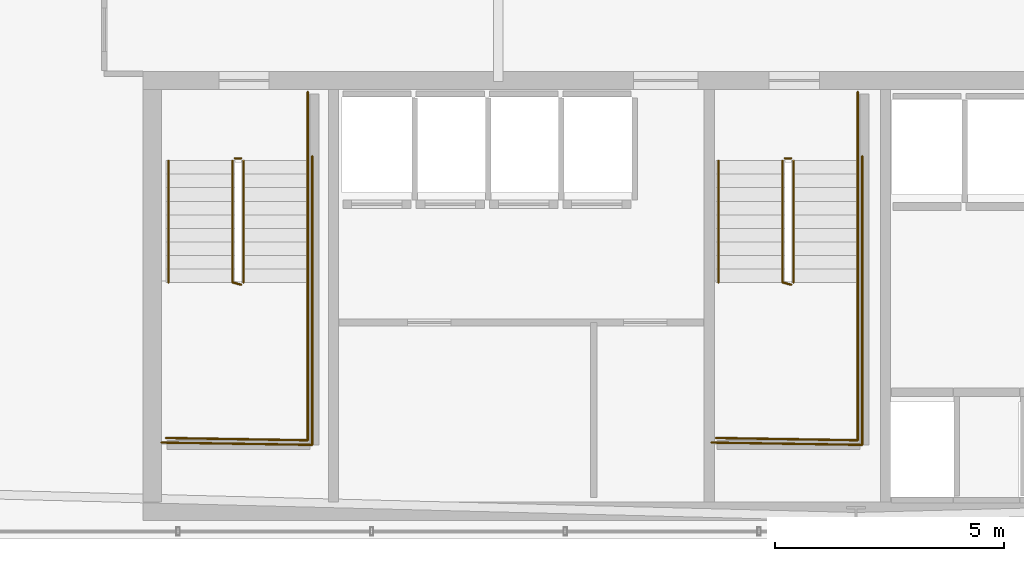
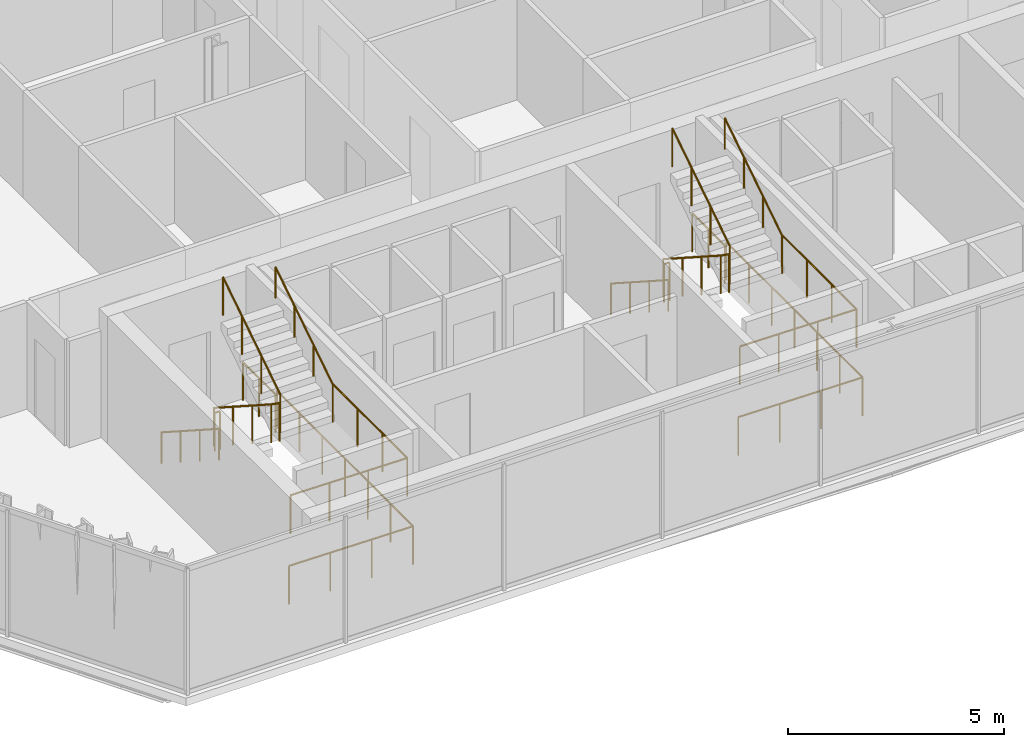
# One storey, part 31 of 33: 16 railings.
"""IFC4 building model written with IfcOpenShell, lengths in metres."""

from ifc_helpers import new_model, si_unit, direction, frame, origin, origin_2d, place, context, subcontext, project, spatial, circle, extrude, material, layer, layer_set, type_object, element, save


model = new_model("IFC4")

# Units and contexts
model_context = context("Model", 3, precision=1e-05, world=origin(), true_north=direction((0.0, 1.0)))
body_context = subcontext(model_context, "Body", "Model", "MODEL_VIEW")
ifc_project = project(units=[si_unit("LENGTHUNIT", "METRE"), si_unit("AREAUNIT", "SQUARE_METRE"), si_unit("VOLUMEUNIT", "CUBIC_METRE"), si_unit("PLANEANGLEUNIT", "RADIAN"), si_unit("MASSUNIT", "GRAM", prefix="KILO")], contexts=[model_context])

# Site, building, storey
site_placement = place(None, origin())
site = spatial("IfcSite", under=ifc_project, at=site_placement, CompositionType="ELEMENT")
building_placement = place(site_placement, origin())
building = spatial("IfcBuilding", under=site, at=building_placement, Name="Ndaravel Arena Tower", CompositionType="ELEMENT")
storey_placement = place(building_placement, frame((0.0, 0.0, 187.800048828125)))
storey = spatial("IfcBuildingStorey", under=building, at=storey_placement, Name="L45", CompositionType="ELEMENT", Elevation=187.800048828125)

# Railings
ifc_material_1 = material(Name="Steel S355", Category="steel")
ifc_layer_1 = layer(ifc_material_1, 0.06005859375)
ifc_layer_set_1 = layer_set([ifc_layer_1], Name="Steel S355")
railing_type_1 = type_object("IfcRailingType", Name="RAIL-STAIR-GD1100", PredefinedType="GUARDRAIL", material=ifc_layer_set_1)
railing_1_placement = place(storey_placement, frame((28.39990234375, 13.25, 0.18994140625)))
element("IfcRailing", 1, at=railing_1_placement, inside=storey, type_object=railing_type_1, Name="L45 ST-1 stair guard 1", PredefinedType="GUARDRAIL", context=body_context, shape_type="SweptSolid", body=[
    extrude(circle(Radius=0.02392578125, at=origin_2d()), frame((0.0, 0.0, 1.076171875), z_axis=(0.0, -0.840723540582, 0.54146461409), x_axis=(1.0, 0.0, 0.0)), (0.0, 0.0, 1.0), 3.157958984375),
    extrude(circle(Radius=0.02392578125, at=origin_2d()), frame((0.0, -2.655029296875, 2.7861328125), z_axis=(0.967074537263, -0.25449329928, 0.0), x_axis=(0.25449329928, 0.967074537263, 0.0)), (0.0, 0.0, 1.0), 0.19677734375),
    extrude(circle(Radius=0.02099609375, at=origin_2d()), origin(), (0.0, 0.0, 1.0), 1.052001953125),
    extrude(circle(Radius=0.02099609375, at=origin_2d()), frame((0.0, -0.885009765625, 0.570068359375)), (0.0, 0.0, 1.0), 1.052001953125),
    extrude(circle(Radius=0.02099609375, at=origin_2d()), frame((0.0, -1.77001953125, 1.139892578125)), (0.0, 0.0, 1.0), 1.052001953125),
    extrude(circle(Radius=0.02099609375, at=origin_2d()), frame((0.0, -2.655029296875, 1.7099609375)), (0.0, 0.0, 1.0), 1.052001953125),
    extrude(circle(Radius=0.02099609375, at=origin_2d()), frame((0.190185546875, -2.705078125, 1.7099609375)), (0.0, 0.0, 1.0), 1.052001953125),
])
railing_2_placement = place(storey_placement, frame((30.0400390625, 10.594970703125, 1.89990234375)))
element("IfcRailing", 2, at=railing_2_placement, inside=storey, type_object=railing_type_1, Name="L45 ST-1 stair guard 2", PredefinedType="GUARDRAIL", context=body_context, shape_type="SweptSolid", body=[
    extrude(circle(Radius=0.02392578125, at=origin_2d()), frame((0.0, 0.0, 1.076171875), z_axis=(0.0, -1.0, 0.0), x_axis=(1.0, 0.0, 0.0)), (0.0, 0.0, 1.0), 3.445068359375),
    extrude(circle(Radius=0.02392578125, at=origin_2d()), frame((0.0, -3.445068359375, 1.076171875), z_axis=(-0.999868861343, 0.016194447071, 0.0), x_axis=(-0.016194447071, -0.999868861343, 0.0)), (0.0, 0.0, 1.0), 3.090576171875),
    extrude(circle(Radius=0.02099609375, at=origin_2d()), origin(), (0.0, 0.0, 1.0), 1.052001953125),
    extrude(circle(Radius=0.02099609375, at=origin_2d()), frame((0.0, -1.1484375, 0.0)), (0.0, 0.0, 1.0), 1.052001953125),
    extrude(circle(Radius=0.02099609375, at=origin_2d()), frame((0.0, -2.296630859375, 0.0)), (0.0, 0.0, 1.0), 1.052001953125),
    extrude(circle(Radius=0.02099609375, at=origin_2d()), frame((0.0, -3.445068359375, 0.0)), (0.0, 0.0, 1.0), 1.052001953125),
    extrude(circle(Radius=0.02099609375, at=origin_2d()), frame((-1.030029296875, -3.428466796875, 0.0)), (0.0, 0.0, 1.0), 1.052001953125),
    extrude(circle(Radius=0.02099609375, at=origin_2d()), frame((-2.06005859375, -3.41162109375, 0.0)), (0.0, 0.0, 1.0), 1.052001953125),
    extrude(circle(Radius=0.02099609375, at=origin_2d()), frame((-3.090087890625, -3.39501953125, 0.0)), (0.0, 0.0, 1.0), 1.052001953125),
])
railing_3_placement = place(storey_placement, frame((28.639892578125, 10.594970703125, 2.08984375)))
element("IfcRailing", 3, at=railing_3_placement, inside=storey, type_object=railing_type_1, Name="L45 ST-1 stair guard 3", PredefinedType="GUARDRAIL", context=body_context, shape_type="SweptSolid", body=[
    extrude(circle(Radius=0.02392578125, at=origin_2d()), frame((0.0, 0.0, 1.076171875), z_axis=(0.0, 0.840688348013, 0.541519253134), x_axis=(-1.0, 0.0, 0.0)), (0.0, 0.0, 1.0), 3.158203125),
    extrude(circle(Radius=0.02099609375, at=origin_2d()), origin(), (0.0, 0.0, 1.0), 1.052001953125),
    extrude(circle(Radius=0.02099609375, at=origin_2d()), frame((0.0, 0.885009765625, 0.570068359375)), (0.0, 0.0, 1.0), 1.052001953125),
    extrude(circle(Radius=0.02099609375, at=origin_2d()), frame((0.0, 1.77001953125, 1.14013671875)), (0.0, 0.0, 1.0), 1.052001953125),
    extrude(circle(Radius=0.02099609375, at=origin_2d()), frame((0.0, 2.655029296875, 1.710205078125)), (0.0, 0.0, 1.0), 1.052001953125),
])
railing_4_placement = place(storey_placement, frame((28.449951171875, 13.300048828125, 0.0)))
element("IfcRailing", 4, at=railing_4_placement, inside=storey, type_object=railing_type_1, Name="L45 ST-1 stair guard 4", PredefinedType="GUARDRAIL", context=body_context, shape_type="SweptSolid", body=[
    extrude(circle(Radius=0.02392578125, at=origin_2d()), frame((0.0, 0.0, 1.076171875), z_axis=(1.0, 0.0, 0.0), x_axis=(0.0, 1.0, 0.0)), (0.0, 0.0, 1.0), 0.14013671875),
    extrude(circle(Radius=0.02099609375, at=origin_2d()), origin(), (0.0, 0.0, 1.0), 1.052001953125),
    extrude(circle(Radius=0.02099609375, at=origin_2d()), frame((0.14013671875, 0.0, 0.0)), (0.0, 0.0, 1.0), 1.052001953125),
])
railing_5_placement = place(storey_placement, frame((30.0400390625, 14.75, 0.0)))
element("IfcRailing", 5, at=railing_5_placement, inside=storey, type_object=railing_type_1, Name="L45 ST-1 stair guard 5", PredefinedType="GUARDRAIL", context=body_context, shape_type="SweptSolid", body=[
    extrude(circle(Radius=0.02392578125, at=origin_2d()), frame((0.0, 0.0, 1.076171875), z_axis=(0.0, -1.0, 0.0), x_axis=(1.0, 0.0, 0.0)), (0.0, 0.0, 1.0), 1.5),
    extrude(circle(Radius=0.02099609375, at=origin_2d()), origin(), (0.0, 0.0, 1.0), 1.052001953125),
    extrude(circle(Radius=0.02099609375, at=origin_2d()), frame((0.0, -0.75, 0.0)), (0.0, 0.0, 1.0), 1.052001953125),
    extrude(circle(Radius=0.02099609375, at=origin_2d()), frame((0.0, -1.5, 0.0)), (0.0, 0.0, 1.0), 1.052001953125),
])
railing_6_placement = place(storey_placement, frame((30.139892578125, 13.35009765625, 0.0)))
element("IfcRailing", 6, at=railing_6_placement, inside=storey, type_object=railing_type_1, Name="L45 ST-1 stair guard 6", PredefinedType="GUARDRAIL", context=body_context, shape_type="SweptSolid", body=[
    extrude(circle(Radius=0.02392578125, at=origin_2d()), frame((0.0, 0.0, 1.076171875), z_axis=(0.0, -1.0, 0.0), x_axis=(1.0, 0.0, 0.0)), (0.0, 0.0, 1.0), 6.300048828125),
    extrude(circle(Radius=0.02392578125, at=origin_2d()), frame((0.0, -6.300048828125, 1.076171875), z_axis=(-0.999884296952, 0.015211597839, 0.0), x_axis=(-0.015211597839, -0.999884296952, 0.0)), (0.0, 0.0, 1.0), 3.290283203125),
    extrude(circle(Radius=0.02099609375, at=origin_2d()), origin(), (0.0, 0.0, 1.0), 1.052001953125),
    extrude(circle(Radius=0.02099609375, at=origin_2d()), frame((0.0, -1.050048828125, 0.0)), (0.0, 0.0, 1.0), 1.052001953125),
    extrude(circle(Radius=0.02099609375, at=origin_2d()), frame((0.0, -2.10009765625, 0.0)), (0.0, 0.0, 1.0), 1.052001953125),
    extrude(circle(Radius=0.02099609375, at=origin_2d()), frame((0.0, -3.14990234375, 0.0)), (0.0, 0.0, 1.0), 1.052001953125),
    extrude(circle(Radius=0.02099609375, at=origin_2d()), frame((0.0, -4.199951171875, 0.0)), (0.0, 0.0, 1.0), 1.052001953125),
    extrude(circle(Radius=0.02099609375, at=origin_2d()), frame((0.0, -5.25, 0.0)), (0.0, 0.0, 1.0), 1.052001953125),
    extrude(circle(Radius=0.02099609375, at=origin_2d()), frame((0.0, -6.300048828125, 0.0)), (0.0, 0.0, 1.0), 1.052001953125),
    extrude(circle(Radius=0.02099609375, at=origin_2d()), frame((-1.0966796875, -6.283447265625, 0.0)), (0.0, 0.0, 1.0), 1.052001953125),
    extrude(circle(Radius=0.02099609375, at=origin_2d()), frame((-2.193115234375, -6.2666015625, 0.0)), (0.0, 0.0, 1.0), 1.052001953125),
    extrude(circle(Radius=0.02099609375, at=origin_2d()), frame((-3.289794921875, -6.25, 0.0)), (0.0, 0.0, 1.0), 1.052001953125),
])
railing_7_placement = place(storey_placement, frame((40.39990234375, 13.25, 0.18994140625)))
element("IfcRailing", 7, at=railing_7_placement, inside=storey, type_object=railing_type_1, Name="L45 ST-2 stair guard 1", PredefinedType="GUARDRAIL", context=body_context, shape_type="SweptSolid", body=[
    extrude(circle(Radius=0.02392578125, at=origin_2d()), frame((0.0, 0.0, 1.076171875), z_axis=(0.0, -0.840723540582, 0.54146461409), x_axis=(1.0, 0.0, 0.0)), (0.0, 0.0, 1.0), 3.157958984375),
    extrude(circle(Radius=0.02392578125, at=origin_2d()), frame((0.0, -2.655029296875, 2.7861328125), z_axis=(0.967074537263, -0.25449329928, 0.0), x_axis=(0.25449329928, 0.967074537263, 0.0)), (0.0, 0.0, 1.0), 0.19677734375),
    extrude(circle(Radius=0.02099609375, at=origin_2d()), origin(), (0.0, 0.0, 1.0), 1.052001953125),
    extrude(circle(Radius=0.02099609375, at=origin_2d()), frame((0.0, -0.885009765625, 0.570068359375)), (0.0, 0.0, 1.0), 1.052001953125),
    extrude(circle(Radius=0.02099609375, at=origin_2d()), frame((0.0, -1.77001953125, 1.139892578125)), (0.0, 0.0, 1.0), 1.052001953125),
    extrude(circle(Radius=0.02099609375, at=origin_2d()), frame((0.0, -2.655029296875, 1.7099609375)), (0.0, 0.0, 1.0), 1.052001953125),
    extrude(circle(Radius=0.02099609375, at=origin_2d()), frame((0.190185546875, -2.705078125, 1.7099609375)), (0.0, 0.0, 1.0), 1.052001953125),
])
railing_8_placement = place(storey_placement, frame((42.0400390625, 10.594970703125, 1.89990234375)))
element("IfcRailing", 8, at=railing_8_placement, inside=storey, type_object=railing_type_1, Name="L45 ST-2 stair guard 2", PredefinedType="GUARDRAIL", context=body_context, shape_type="SweptSolid", body=[
    extrude(circle(Radius=0.02392578125, at=origin_2d()), frame((0.0, 0.0, 1.076171875), z_axis=(0.0, -1.0, 0.0), x_axis=(1.0, 0.0, 0.0)), (0.0, 0.0, 1.0), 3.445068359375),
    extrude(circle(Radius=0.02392578125, at=origin_2d()), frame((0.0, -3.445068359375, 1.076171875), z_axis=(-0.999868861343, 0.016194447071, 0.0), x_axis=(-0.016194447071, -0.999868861343, 0.0)), (0.0, 0.0, 1.0), 3.090576171875),
    extrude(circle(Radius=0.02099609375, at=origin_2d()), origin(), (0.0, 0.0, 1.0), 1.052001953125),
    extrude(circle(Radius=0.02099609375, at=origin_2d()), frame((0.0, -1.1484375, 0.0)), (0.0, 0.0, 1.0), 1.052001953125),
    extrude(circle(Radius=0.02099609375, at=origin_2d()), frame((0.0, -2.296630859375, 0.0)), (0.0, 0.0, 1.0), 1.052001953125),
    extrude(circle(Radius=0.02099609375, at=origin_2d()), frame((0.0, -3.445068359375, 0.0)), (0.0, 0.0, 1.0), 1.052001953125),
    extrude(circle(Radius=0.02099609375, at=origin_2d()), frame((-1.030029296875, -3.428466796875, 0.0)), (0.0, 0.0, 1.0), 1.052001953125),
    extrude(circle(Radius=0.02099609375, at=origin_2d()), frame((-2.06005859375, -3.41162109375, 0.0)), (0.0, 0.0, 1.0), 1.052001953125),
    extrude(circle(Radius=0.02099609375, at=origin_2d()), frame((-3.090087890625, -3.39501953125, 0.0)), (0.0, 0.0, 1.0), 1.052001953125),
])
railing_9_placement = place(storey_placement, frame((40.639892578125, 10.594970703125, 2.08984375)))
element("IfcRailing", 9, at=railing_9_placement, inside=storey, type_object=railing_type_1, Name="L45 ST-2 stair guard 3", PredefinedType="GUARDRAIL", context=body_context, shape_type="SweptSolid", body=[
    extrude(circle(Radius=0.02392578125, at=origin_2d()), frame((0.0, 0.0, 1.076171875), z_axis=(0.0, 0.840688348013, 0.541519253134), x_axis=(-1.0, 0.0, 0.0)), (0.0, 0.0, 1.0), 3.158203125),
    extrude(circle(Radius=0.02099609375, at=origin_2d()), origin(), (0.0, 0.0, 1.0), 1.052001953125),
    extrude(circle(Radius=0.02099609375, at=origin_2d()), frame((0.0, 0.885009765625, 0.570068359375)), (0.0, 0.0, 1.0), 1.052001953125),
    extrude(circle(Radius=0.02099609375, at=origin_2d()), frame((0.0, 1.77001953125, 1.14013671875)), (0.0, 0.0, 1.0), 1.052001953125),
    extrude(circle(Radius=0.02099609375, at=origin_2d()), frame((0.0, 2.655029296875, 1.710205078125)), (0.0, 0.0, 1.0), 1.052001953125),
])
railing_10_placement = place(storey_placement, frame((40.449951171875, 13.300048828125, 0.0)))
element("IfcRailing", 10, at=railing_10_placement, inside=storey, type_object=railing_type_1, Name="L45 ST-2 stair guard 4", PredefinedType="GUARDRAIL", context=body_context, shape_type="SweptSolid", body=[
    extrude(circle(Radius=0.02392578125, at=origin_2d()), frame((0.0, 0.0, 1.076171875), z_axis=(1.0, 0.0, 0.0), x_axis=(0.0, 1.0, 0.0)), (0.0, 0.0, 1.0), 0.14013671875),
    extrude(circle(Radius=0.02099609375, at=origin_2d()), origin(), (0.0, 0.0, 1.0), 1.052001953125),
    extrude(circle(Radius=0.02099609375, at=origin_2d()), frame((0.14013671875, 0.0, 0.0)), (0.0, 0.0, 1.0), 1.052001953125),
])
railing_11_placement = place(storey_placement, frame((42.0400390625, 14.75, 0.0)))
element("IfcRailing", 11, at=railing_11_placement, inside=storey, type_object=railing_type_1, Name="L45 ST-2 stair guard 5", PredefinedType="GUARDRAIL", context=body_context, shape_type="SweptSolid", body=[
    extrude(circle(Radius=0.02392578125, at=origin_2d()), frame((0.0, 0.0, 1.076171875), z_axis=(0.0, -1.0, 0.0), x_axis=(1.0, 0.0, 0.0)), (0.0, 0.0, 1.0), 1.5),
    extrude(circle(Radius=0.02099609375, at=origin_2d()), origin(), (0.0, 0.0, 1.0), 1.052001953125),
    extrude(circle(Radius=0.02099609375, at=origin_2d()), frame((0.0, -0.75, 0.0)), (0.0, 0.0, 1.0), 1.052001953125),
    extrude(circle(Radius=0.02099609375, at=origin_2d()), frame((0.0, -1.5, 0.0)), (0.0, 0.0, 1.0), 1.052001953125),
])
railing_12_placement = place(storey_placement, frame((42.139892578125, 13.35009765625, 0.0)))
element("IfcRailing", 12, at=railing_12_placement, inside=storey, type_object=railing_type_1, Name="L45 ST-2 stair guard 6", PredefinedType="GUARDRAIL", context=body_context, shape_type="SweptSolid", body=[
    extrude(circle(Radius=0.02392578125, at=origin_2d()), frame((0.0, 0.0, 1.076171875), z_axis=(0.0, -1.0, 0.0), x_axis=(1.0, 0.0, 0.0)), (0.0, 0.0, 1.0), 6.300048828125),
    extrude(circle(Radius=0.02392578125, at=origin_2d()), frame((0.0, -6.300048828125, 1.076171875), z_axis=(-0.999884296952, 0.015211597839, 0.0), x_axis=(-0.015211597839, -0.999884296952, 0.0)), (0.0, 0.0, 1.0), 3.290283203125),
    extrude(circle(Radius=0.02099609375, at=origin_2d()), origin(), (0.0, 0.0, 1.0), 1.052001953125),
    extrude(circle(Radius=0.02099609375, at=origin_2d()), frame((0.0, -1.050048828125, 0.0)), (0.0, 0.0, 1.0), 1.052001953125),
    extrude(circle(Radius=0.02099609375, at=origin_2d()), frame((0.0, -2.10009765625, 0.0)), (0.0, 0.0, 1.0), 1.052001953125),
    extrude(circle(Radius=0.02099609375, at=origin_2d()), frame((0.0, -3.14990234375, 0.0)), (0.0, 0.0, 1.0), 1.052001953125),
    extrude(circle(Radius=0.02099609375, at=origin_2d()), frame((0.0, -4.199951171875, 0.0)), (0.0, 0.0, 1.0), 1.052001953125),
    extrude(circle(Radius=0.02099609375, at=origin_2d()), frame((0.0, -5.25, 0.0)), (0.0, 0.0, 1.0), 1.052001953125),
    extrude(circle(Radius=0.02099609375, at=origin_2d()), frame((0.0, -6.300048828125, 0.0)), (0.0, 0.0, 1.0), 1.052001953125),
    extrude(circle(Radius=0.02099609375, at=origin_2d()), frame((-1.0966796875, -6.283447265625, 0.0)), (0.0, 0.0, 1.0), 1.052001953125),
    extrude(circle(Radius=0.02099609375, at=origin_2d()), frame((-2.193115234375, -6.2666015625, 0.0)), (0.0, 0.0, 1.0), 1.052001953125),
    extrude(circle(Radius=0.02099609375, at=origin_2d()), frame((-3.289794921875, -6.25, 0.0)), (0.0, 0.0, 1.0), 1.052001953125),
])
ifc_material_2 = material(Name="Steel S355", Category="steel")
ifc_layer_2 = layer(ifc_material_2, 0.050048828125)
ifc_layer_set_2 = layer_set([ifc_layer_2], Name="Steel S355")
railing_type_2 = type_object("IfcRailingType", Name="RAIL-STAIR-HR920", PredefinedType="HANDRAIL", material=ifc_layer_set_2)
railing_13_placement = place(storey_placement, frame((27.0, 13.25, 0.18994140625)))
element("IfcRailing", 13, at=railing_13_placement, inside=storey, type_object=railing_type_2, Name="L45 ST-1 stair handrail 1", PredefinedType="HANDRAIL", context=body_context, shape_type="SweptSolid", body=[
    extrude(circle(Radius=0.02392578125, at=origin_2d()), frame((0.0, 0.0, 0.8759765625), z_axis=(0.0, -0.840723540582, 0.54146461409), x_axis=(1.0, 0.0, 0.0)), (0.0, 0.0, 1.0), 3.157958984375),
    extrude(circle(Radius=0.02099609375, at=origin_2d()), origin(), (0.0, 0.0, 1.0), 0.851806640625),
    extrude(circle(Radius=0.02099609375, at=origin_2d()), frame((0.0, -0.885009765625, 0.570068359375)), (0.0, 0.0, 1.0), 0.851806640625),
    extrude(circle(Radius=0.02099609375, at=origin_2d()), frame((0.0, -1.77001953125, 1.139892578125)), (0.0, 0.0, 1.0), 0.851806640625),
    extrude(circle(Radius=0.02099609375, at=origin_2d()), frame((0.0, -2.655029296875, 1.7099609375)), (0.0, 0.0, 1.0), 0.851806640625),
])
railing_14_placement = place(storey_placement, frame((30.0400390625, 10.594970703125, 2.08984375)))
element("IfcRailing", 14, at=railing_14_placement, inside=storey, type_object=railing_type_2, Name="L45 ST-1 stair handrail 2", PredefinedType="HANDRAIL", context=body_context, shape_type="SweptSolid", body=[
    extrude(circle(Radius=0.02392578125, at=origin_2d()), frame((0.0, 0.0, 0.8759765625), z_axis=(0.0, 0.840688348013, 0.541519253134), x_axis=(-1.0, 0.0, 0.0)), (0.0, 0.0, 1.0), 3.158203125),
    extrude(circle(Radius=0.02099609375, at=origin_2d()), origin(), (0.0, 0.0, 1.0), 0.851806640625),
    extrude(circle(Radius=0.02099609375, at=origin_2d()), frame((0.0, 0.885009765625, 0.570068359375)), (0.0, 0.0, 1.0), 0.851806640625),
    extrude(circle(Radius=0.02099609375, at=origin_2d()), frame((0.0, 1.77001953125, 1.14013671875)), (0.0, 0.0, 1.0), 0.851806640625),
    extrude(circle(Radius=0.02099609375, at=origin_2d()), frame((0.0, 2.655029296875, 1.710205078125)), (0.0, 0.0, 1.0), 0.851806640625),
])
railing_15_placement = place(storey_placement, frame((39.0, 13.25, 0.18994140625)))
element("IfcRailing", 15, at=railing_15_placement, inside=storey, type_object=railing_type_2, Name="L45 ST-2 stair handrail 1", PredefinedType="HANDRAIL", context=body_context, shape_type="SweptSolid", body=[
    extrude(circle(Radius=0.02392578125, at=origin_2d()), frame((0.0, 0.0, 0.8759765625), z_axis=(0.0, -0.840723540582, 0.54146461409), x_axis=(1.0, 0.0, 0.0)), (0.0, 0.0, 1.0), 3.157958984375),
    extrude(circle(Radius=0.02099609375, at=origin_2d()), origin(), (0.0, 0.0, 1.0), 0.851806640625),
    extrude(circle(Radius=0.02099609375, at=origin_2d()), frame((0.0, -0.885009765625, 0.570068359375)), (0.0, 0.0, 1.0), 0.851806640625),
    extrude(circle(Radius=0.02099609375, at=origin_2d()), frame((0.0, -1.77001953125, 1.139892578125)), (0.0, 0.0, 1.0), 0.851806640625),
    extrude(circle(Radius=0.02099609375, at=origin_2d()), frame((0.0, -2.655029296875, 1.7099609375)), (0.0, 0.0, 1.0), 0.851806640625),
])
railing_16_placement = place(storey_placement, frame((42.0400390625, 10.594970703125, 2.08984375)))
element("IfcRailing", 16, at=railing_16_placement, inside=storey, type_object=railing_type_2, Name="L45 ST-2 stair handrail 2", PredefinedType="HANDRAIL", context=body_context, shape_type="SweptSolid", body=[
    extrude(circle(Radius=0.02392578125, at=origin_2d()), frame((0.0, 0.0, 0.8759765625), z_axis=(0.0, 0.840688348013, 0.541519253134), x_axis=(-1.0, 0.0, 0.0)), (0.0, 0.0, 1.0), 3.158203125),
    extrude(circle(Radius=0.02099609375, at=origin_2d()), origin(), (0.0, 0.0, 1.0), 0.851806640625),
    extrude(circle(Radius=0.02099609375, at=origin_2d()), frame((0.0, 0.885009765625, 0.570068359375)), (0.0, 0.0, 1.0), 0.851806640625),
    extrude(circle(Radius=0.02099609375, at=origin_2d()), frame((0.0, 1.77001953125, 1.14013671875)), (0.0, 0.0, 1.0), 0.851806640625),
    extrude(circle(Radius=0.02099609375, at=origin_2d()), frame((0.0, 2.655029296875, 1.710205078125)), (0.0, 0.0, 1.0), 0.851806640625),
])

save(model, "model.ifc")
